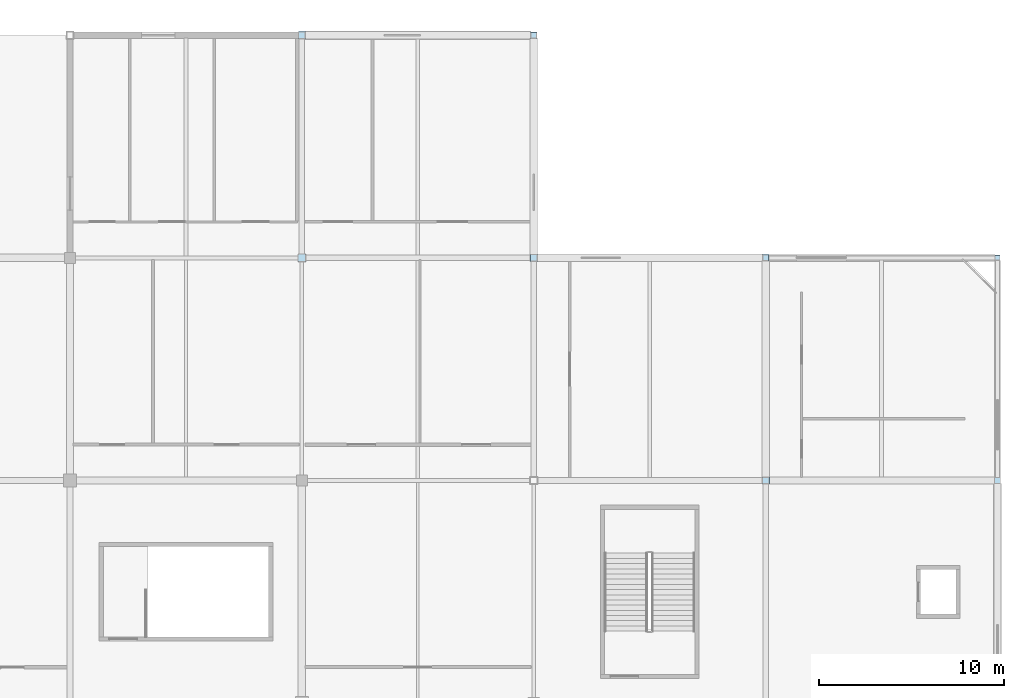
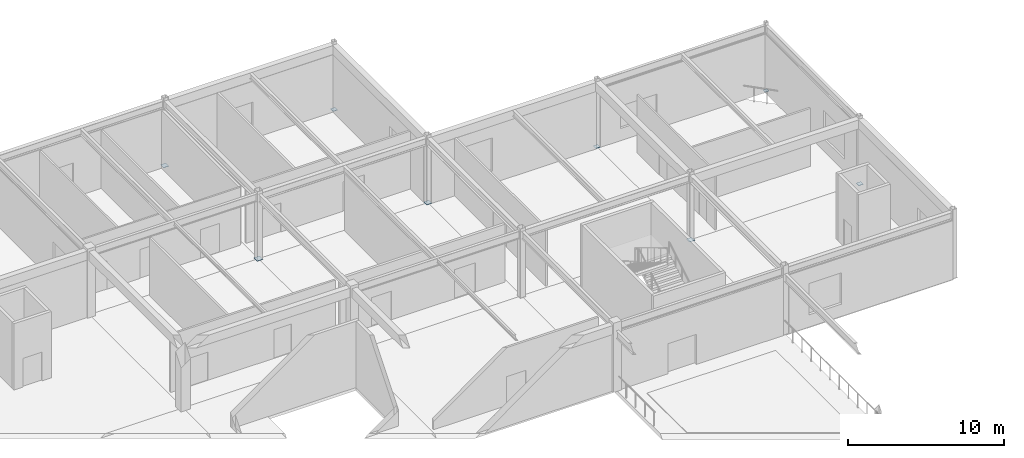
# One storey, part 71 of 105: 8 plates.
"""IFC4 building model written with IfcOpenShell, lengths in metres."""

from ifc_helpers import new_model, si_unit, direction, frame, origin, origin_2d, place, context, subcontext, project, spatial, rectangle, extrude, material, layer, layer_set, type_object, element, save


model = new_model("IFC4")

# Units and contexts
model_context = context("Model", 3, precision=1e-05, world=origin(), true_north=direction((0.0, 1.0)))
body_context = subcontext(model_context, "Body", "Model", "MODEL_VIEW")
ifc_project = project(units=[si_unit("LENGTHUNIT", "METRE"), si_unit("AREAUNIT", "SQUARE_METRE"), si_unit("VOLUMEUNIT", "CUBIC_METRE"), si_unit("PLANEANGLEUNIT", "RADIAN"), si_unit("MASSUNIT", "GRAM", prefix="KILO")], contexts=[model_context])

# Site, building, storey
site_placement = place(None, origin())
site = spatial("IfcSite", under=ifc_project, at=site_placement, CompositionType="ELEMENT")
building_placement = place(site_placement, origin())
building = spatial("IfcBuilding", under=site, at=building_placement, Name="Kazenohara Klinker Stadium", CompositionType="ELEMENT")
storey_placement = place(building_placement, frame((0.0, 0.0, 20.39990234375)))
storey = spatial("IfcBuildingStorey", under=building, at=storey_placement, Name="L04", CompositionType="ELEMENT", Elevation=20.39990234375)

# Plates
ifc_material = material(Name="Steel S355", Category="steel")
ifc_layer_1 = layer(ifc_material, 0.02001953125)
ifc_layer_set_1 = layer_set([ifc_layer_1], Name="Steel S355")
plate_type_1 = type_object("IfcPlateType", Name="PLT-GP01", PredefinedType="USERDEFINED", material=ifc_layer_set_1)
for number, where, z_axis, x_axis, name in (
    (1, (162.5, 168.0, -0.010009765625), (0.0, 0.0, 1.0), (1.0, 0.0, 0.0), "Hollow column end-cap plate GP01 L04 14/Q"),
    (2, (187.5, 144.0, -0.010009765625), (0.0, 0.0, 1.0), (1.0, 0.0, 0.0), "Hollow column end-cap plate GP01 L04 16/N"),
):
    element("IfcPlate", number, at=place(storey_placement, frame(where, z_axis=z_axis, x_axis=x_axis)), inside=storey, type_object=plate_type_1, Name=name, ObjectType="GUSSET PLATE", PredefinedType="USERDEFINED", context=body_context, shape_type="SweptSolid", body=[
        extrude(rectangle(XDim=0.389892578125, YDim=0.389892578125, at=origin_2d()), origin(), (0.0, 0.0, 1.0), 0.02001953125),
    ])
ifc_layer_2 = layer(ifc_material, 0.02197265625)
ifc_layer_set_2 = layer_set([ifc_layer_2], Name="Steel S355")
plate_type_2 = type_object("IfcPlateType", Name="PLT-GP02", PredefinedType="USERDEFINED", material=ifc_layer_set_2)
plate_1_placement = place(storey_placement, frame((162.5, 156.0, -0.010986328125), z_axis=(0.0, 0.0, 1.0), x_axis=(1.0, 0.0, 0.0)))
element("IfcPlate", 3, at=plate_1_placement, inside=storey, type_object=plate_type_2, Name="Hollow column end-cap plate GP02 L04 14/P", ObjectType="GUSSET PLATE", PredefinedType="USERDEFINED", context=body_context, shape_type="SweptSolid", body=[
    extrude(rectangle(XDim=0.43994140625, YDim=0.43994140625, at=origin_2d()), origin(), (0.0, 0.0, 1.0), 0.02197265625),
])
plate_2_placement = place(storey_placement, frame((175.0, 168.0, -0.010986328125), z_axis=(0.0, 0.0, 1.0), x_axis=(1.0, 0.0, 0.0)))
element("IfcPlate", 4, at=plate_2_placement, inside=storey, type_object=plate_type_2, Name="Hollow column end-cap plate GP02 L04 15/Q", ObjectType="GUSSET PLATE", PredefinedType="USERDEFINED", context=body_context, shape_type="SweptSolid", body=[
    extrude(rectangle(XDim=0.340087890625, YDim=0.340087890625, at=origin_2d()), origin(), (0.0, 0.0, 1.0), 0.02197265625),
])
ifc_layer_3 = layer(ifc_material, 0.02392578125)
ifc_layer_set_3 = layer_set([ifc_layer_3], Name="Steel S355")
plate_type_3 = type_object("IfcPlateType", Name="PLT-GP03", PredefinedType="USERDEFINED", material=ifc_layer_set_3)
plate_3_placement = place(storey_placement, frame((175.0, 156.0, -0.011962890625), z_axis=(0.0, 0.0, 1.0), x_axis=(1.0, 0.0, 0.0)))
element("IfcPlate", 5, at=plate_3_placement, inside=storey, type_object=plate_type_3, Name="Hollow column end-cap plate GP03 L04 15/P", ObjectType="GUSSET PLATE", PredefinedType="USERDEFINED", context=body_context, shape_type="SweptSolid", body=[
    extrude(rectangle(XDim=0.389892578125, YDim=0.389892578125, at=origin_2d()), origin(), (0.0, 0.0, 1.0), 0.02392578125),
])
plate_4_placement = place(storey_placement, frame((200.0, 156.0, -0.011962890625), z_axis=(0.0, 0.0, 1.0), x_axis=(1.0, 0.0, 0.0)))
element("IfcPlate", 6, at=plate_4_placement, inside=storey, type_object=plate_type_3, Name="Hollow column end-cap plate GP03 L04 17/P", ObjectType="GUSSET PLATE", PredefinedType="USERDEFINED", context=body_context, shape_type="SweptSolid", body=[
    extrude(rectangle(XDim=0.2900390625, YDim=0.2900390625, at=origin_2d()), origin(), (0.0, 0.0, 1.0), 0.02392578125),
])
ifc_layer_4 = layer(ifc_material, 0.02490234375)
ifc_layer_set_4 = layer_set([ifc_layer_4], Name="Steel S355")
plate_type_4 = type_object("IfcPlateType", Name="PLT-GP04", PredefinedType="USERDEFINED", material=ifc_layer_set_4)
for number, where, z_axis, x_axis, name in (
    (7, (187.5, 156.0, -0.012451171875), (0.0, 0.0, 1.0), (1.0, 0.0, 0.0), "Hollow column end-cap plate GP04 L04 16/P"),
    (8, (200.0, 144.0, -0.012451171875), (0.0, 0.0, 1.0), (1.0, 0.0, 0.0), "Hollow column end-cap plate GP04 L04 17/N"),
):
    element("IfcPlate", number, at=place(storey_placement, frame(where, z_axis=z_axis, x_axis=x_axis)), inside=storey, type_object=plate_type_4, Name=name, ObjectType="GUSSET PLATE", PredefinedType="USERDEFINED", context=body_context, shape_type="SweptSolid", body=[
        extrude(rectangle(XDim=0.340087890625, YDim=0.340087890625, at=origin_2d()), origin(), (0.0, 0.0, 1.0), 0.02490234375),
    ])

save(model, "model.ifc")
